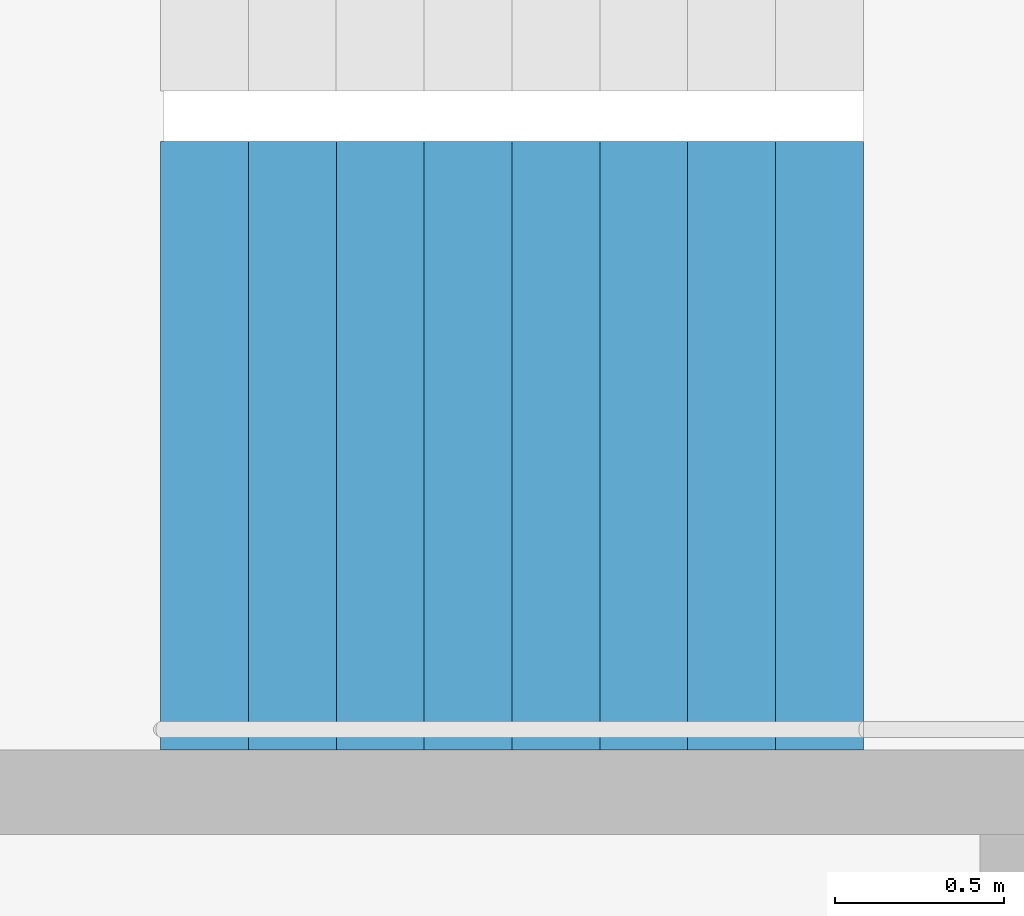
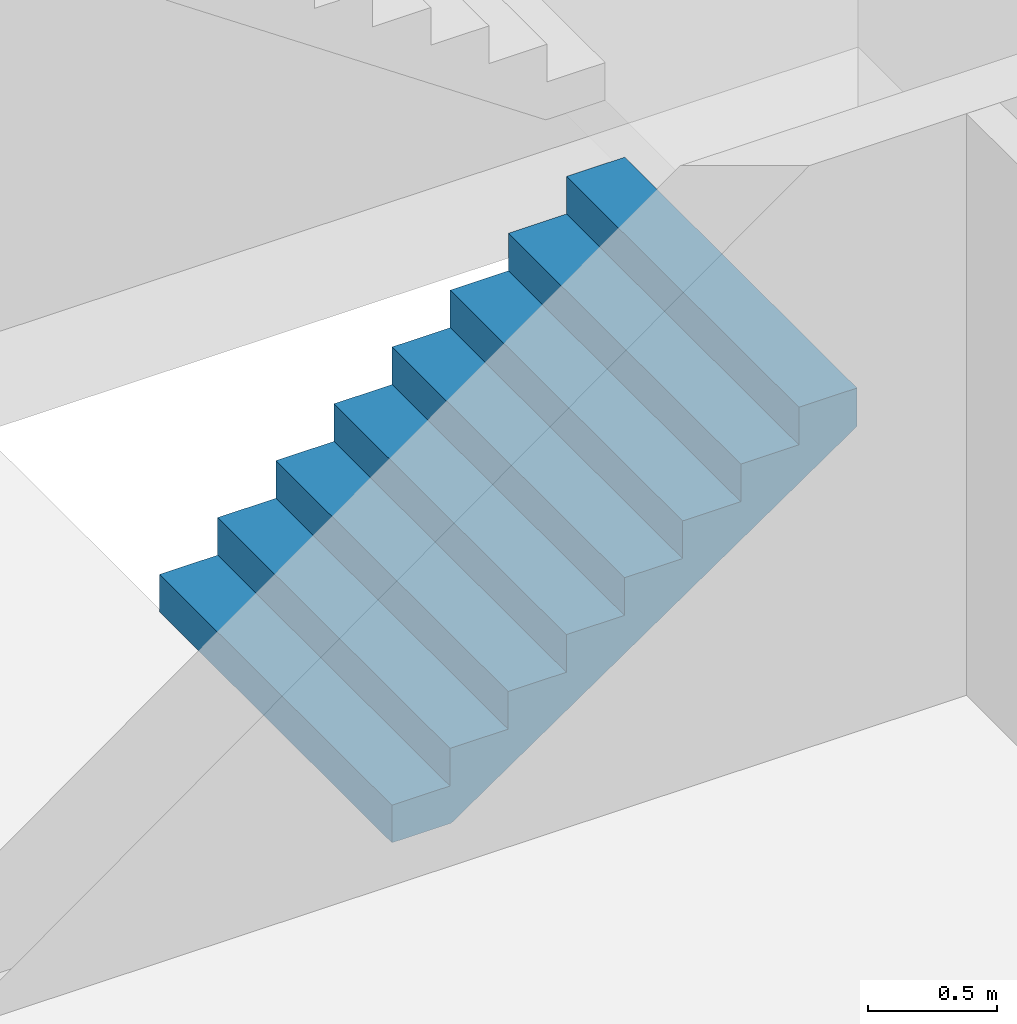
# One storey, part 20 of 30: 1 stair flight, 1 element without a shape of its own.
"""IFC4 building model written with IfcOpenShell, lengths in metres."""

from ifc_helpers import new_model, si_unit, direction, frame, origin, place, context, subcontext, project, spatial, triangles, material, type_object, element, aggregate, save


model = new_model("IFC4")

# Units and contexts
model_context = context("Model", 3, precision=1e-05, world=origin(), true_north=direction((0.0, 1.0)))
body_context = subcontext(model_context, "Body", "Model", "MODEL_VIEW")
ifc_project = project(units=[si_unit("LENGTHUNIT", "METRE"), si_unit("AREAUNIT", "SQUARE_METRE"), si_unit("VOLUMEUNIT", "CUBIC_METRE"), si_unit("PLANEANGLEUNIT", "RADIAN"), si_unit("MASSUNIT", "GRAM", prefix="KILO")], contexts=[model_context])

# Site, building, storey
site_placement = place(None, origin())
site = spatial("IfcSite", under=ifc_project, at=site_placement, CompositionType="ELEMENT")
building_placement = place(site_placement, origin())
building = spatial("IfcBuilding", under=site, at=building_placement, Name="Hakoniwa Tower and Hamabe Station Hall", CompositionType="ELEMENT")
storey_placement = place(building_placement, frame((0.0, 0.0, 245.39990234375)))
storey = spatial("IfcBuildingStorey", under=building, at=storey_placement, Name="L69", CompositionType="ELEMENT", Elevation=245.39990234375)

# Stair, stair flight
ifc_material_1 = material(Name="Concrete C40", Category="concrete")
stair_type = type_object("IfcStairType", Name="ESCAPE STAIR 1800", PredefinedType="HALF_TURN_STAIR", material=ifc_material_1)
stair_placement = place(storey_placement, origin())
stair = element("IfcStair", 1, at=stair_placement, inside=storey, type_object=stair_type, Name="Escape stair ST-1 L69", PredefinedType="HALF_TURN_STAIR")
ifc_material_2 = material(Name="Concrete C40", Category="concrete")
stair_flight_type = type_object("IfcStairFlightType", Name="STAIR FLIGHT 1800", PredefinedType="STRAIGHT", material=ifc_material_2)
stair_flight_placement = place(storey_placement, frame((-24.39990234375, 4.64990234375, 0.0), z_axis=(0.0, 0.0, 1.0), x_axis=(1.0, 0.0, 0.0)))
stair_flight = element("IfcStairFlight", 2, at=stair_flight_placement, type_object=stair_flight_type, Name="ST-1 flight 1", NumberOfRisers=9, NumberOfTreads=8, PredefinedType="STRAIGHT", RiserHeight=0.177777778, TreadLength=0.26, context=body_context, shape_type="Tessellation", body=[
    triangles([(0.0, 0.89990234375, 0.0), (0.260009765625, 0.89990234375, 0.0), (0.265625, 0.89990234375, 0.0), (0.52001953125, 0.89990234375, 0.174072265625), (0.780029296875, 0.89990234375, 0.351806640625), (1.0400390625, 0.89990234375, 0.529541015625), (1.300048828125, 0.89990234375, 0.707275390625), (1.56005859375, 0.89990234375, 0.885009765625), (1.820068359375, 0.89990234375, 1.062744140625), (2.080078125, 0.89990234375, 1.24072265625), (2.080078125, 0.89990234375, 1.422119140625), (1.820068359375, 0.89990234375, 1.422119140625), (1.820068359375, 0.89990234375, 1.244384765625), (1.56005859375, 0.89990234375, 1.244384765625), (1.56005859375, 0.89990234375, 1.066650390625), (1.300048828125, 0.89990234375, 1.066650390625), (1.300048828125, 0.89990234375, 0.888916015625), (1.0400390625, 0.89990234375, 0.888916015625), (1.0400390625, 0.89990234375, 0.711181640625), (0.780029296875, 0.89990234375, 0.711181640625), (0.780029296875, 0.89990234375, 0.533447265625), (0.52001953125, 0.89990234375, 0.533447265625), (0.52001953125, 0.89990234375, 0.35546875), (0.265625, 0.89990234375, 0.35546875), (0.260009765625, 0.89990234375, 0.35546875), (0.260009765625, 0.89990234375, 0.177734375), (0.0, 0.89990234375, 0.177734375), (0.0, 0.06005859375, 0.0), (0.260009765625, 0.06005859375, 0.0), (0.265625, 0.06005859375, 0.0), (0.52001953125, 0.06005859375, 0.174072265625), (0.780029296875, 0.06005859375, 0.351806640625), (1.0400390625, 0.06005859375, 0.529541015625), (1.300048828125, 0.06005859375, 0.707275390625), (1.56005859375, 0.06005859375, 0.885009765625), (1.820068359375, 0.06005859375, 1.062744140625), (2.080078125, 0.06005859375, 1.24072265625), (2.080078125, 0.06005859375, 1.422119140625), (1.820068359375, 0.06005859375, 1.422119140625), (1.820068359375, 0.06005859375, 1.244384765625), (1.56005859375, 0.06005859375, 1.244384765625), (1.56005859375, 0.06005859375, 1.066650390625), (1.300048828125, 0.06005859375, 1.066650390625), (1.300048828125, 0.06005859375, 0.888916015625), (1.0400390625, 0.06005859375, 0.888916015625), (1.0400390625, 0.06005859375, 0.711181640625), (0.780029296875, 0.06005859375, 0.711181640625), (0.780029296875, 0.06005859375, 0.533447265625), (0.52001953125, 0.06005859375, 0.533447265625), (0.52001953125, 0.06005859375, 0.35546875), (0.265625, 0.06005859375, 0.35546875), (0.260009765625, 0.06005859375, 0.35546875), (0.260009765625, 0.06005859375, 0.177734375), (0.0, 0.06005859375, 0.177734375), (0.0, 0.04296875, 0.0), (0.260009765625, 0.04296875, 0.0), (0.265625, 0.04296875, 0.0), (0.52001953125, 0.04296875, 0.174072265625), (0.780029296875, 0.04296875, 0.351806640625), (1.0400390625, 0.04296875, 0.529541015625), (1.300048828125, 0.04296875, 0.707275390625), (1.56005859375, 0.04296875, 0.885009765625), (1.820068359375, 0.04296875, 1.062744140625), (2.080078125, 0.04296875, 1.24072265625), (2.080078125, 0.04296875, 1.422119140625), (1.820068359375, 0.04296875, 1.422119140625), (1.820068359375, 0.04296875, 1.244384765625), (1.56005859375, 0.04296875, 1.244384765625), (1.56005859375, 0.04296875, 1.066650390625), (1.300048828125, 0.04296875, 1.066650390625), (1.300048828125, 0.04296875, 0.888916015625), (1.0400390625, 0.04296875, 0.888916015625), (1.0400390625, 0.04296875, 0.711181640625), (0.780029296875, 0.04296875, 0.711181640625), (0.780029296875, 0.04296875, 0.533447265625), (0.52001953125, 0.04296875, 0.533447265625), (0.52001953125, 0.04296875, 0.35546875), (0.265625, 0.04296875, 0.35546875), (0.260009765625, 0.04296875, 0.35546875), (0.260009765625, 0.04296875, 0.177734375), (0.0, 0.04296875, 0.177734375), (0.0, 0.025634765625, 0.0), (0.260009765625, 0.025634765625, 0.0), (0.265625, 0.025634765625, 0.0), (0.52001953125, 0.025634765625, 0.174072265625), (0.780029296875, 0.025634765625, 0.351806640625), (1.0400390625, 0.025634765625, 0.529541015625), (1.300048828125, 0.025634765625, 0.707275390625), (1.56005859375, 0.025634765625, 0.885009765625), (1.820068359375, 0.025634765625, 1.062744140625), (2.080078125, 0.025634765625, 1.24072265625), (2.080078125, 0.025634765625, 1.422119140625), (1.820068359375, 0.025634765625, 1.422119140625), (1.820068359375, 0.025634765625, 1.244384765625), (1.56005859375, 0.025634765625, 1.244384765625), (1.56005859375, 0.025634765625, 1.066650390625), (1.300048828125, 0.025634765625, 1.066650390625), (1.300048828125, 0.025634765625, 0.888916015625), (1.0400390625, 0.025634765625, 0.888916015625), (1.0400390625, 0.025634765625, 0.711181640625), (0.780029296875, 0.025634765625, 0.711181640625), (0.780029296875, 0.025634765625, 0.533447265625), (0.52001953125, 0.025634765625, 0.533447265625), (0.52001953125, 0.025634765625, 0.35546875), (0.265625, 0.025634765625, 0.35546875), (0.260009765625, 0.025634765625, 0.35546875), (0.260009765625, 0.025634765625, 0.177734375), (0.0, 0.025634765625, 0.177734375), (0.0, 0.008544921875, 0.0), (0.260009765625, 0.008544921875, 0.0), (0.265625, 0.008544921875, 0.0), (0.52001953125, 0.008544921875, 0.174072265625), (0.780029296875, 0.008544921875, 0.351806640625), (1.0400390625, 0.008544921875, 0.529541015625), (1.300048828125, 0.008544921875, 0.707275390625), (1.56005859375, 0.008544921875, 0.885009765625), (1.820068359375, 0.008544921875, 1.062744140625), (2.080078125, 0.008544921875, 1.24072265625), (2.080078125, 0.008544921875, 1.422119140625), (1.820068359375, 0.008544921875, 1.422119140625), (1.820068359375, 0.008544921875, 1.244384765625), (1.56005859375, 0.008544921875, 1.244384765625), (1.56005859375, 0.008544921875, 1.066650390625), (1.300048828125, 0.008544921875, 1.066650390625), (1.300048828125, 0.008544921875, 0.888916015625), (1.0400390625, 0.008544921875, 0.888916015625), (1.0400390625, 0.008544921875, 0.711181640625), (0.780029296875, 0.008544921875, 0.711181640625), (0.780029296875, 0.008544921875, 0.533447265625), (0.52001953125, 0.008544921875, 0.533447265625), (0.52001953125, 0.008544921875, 0.35546875), (0.265625, 0.008544921875, 0.35546875), (0.260009765625, 0.008544921875, 0.35546875), (0.260009765625, 0.008544921875, 0.177734375), (0.0, 0.008544921875, 0.177734375), (0.0, -0.008544921875, 0.0), (0.260009765625, -0.008544921875, 0.0), (0.265625, -0.008544921875, 0.0), (0.52001953125, -0.008544921875, 0.174072265625), (0.780029296875, -0.008544921875, 0.351806640625), (1.0400390625, -0.008544921875, 0.529541015625), (1.300048828125, -0.008544921875, 0.707275390625), (1.56005859375, -0.008544921875, 0.885009765625), (1.820068359375, -0.008544921875, 1.062744140625), (2.080078125, -0.008544921875, 1.24072265625), (2.080078125, -0.008544921875, 1.422119140625), (1.820068359375, -0.008544921875, 1.422119140625), (1.820068359375, -0.008544921875, 1.244384765625), (1.56005859375, -0.008544921875, 1.244384765625), (1.56005859375, -0.008544921875, 1.066650390625), (1.300048828125, -0.008544921875, 1.066650390625), (1.300048828125, -0.008544921875, 0.888916015625), (1.0400390625, -0.008544921875, 0.888916015625), (1.0400390625, -0.008544921875, 0.711181640625), (0.780029296875, -0.008544921875, 0.711181640625), (0.780029296875, -0.008544921875, 0.533447265625), (0.52001953125, -0.008544921875, 0.533447265625), (0.52001953125, -0.008544921875, 0.35546875), (0.265625, -0.008544921875, 0.35546875), (0.260009765625, -0.008544921875, 0.35546875), (0.260009765625, -0.008544921875, 0.177734375), (0.0, -0.008544921875, 0.177734375), (0.0, -0.025634765625, 0.0), (0.260009765625, -0.025634765625, 0.0), (0.265625, -0.025634765625, 0.0), (0.52001953125, -0.025634765625, 0.174072265625), (0.780029296875, -0.025634765625, 0.351806640625), (1.0400390625, -0.025634765625, 0.529541015625), (1.300048828125, -0.025634765625, 0.707275390625), (1.56005859375, -0.025634765625, 0.885009765625), (1.820068359375, -0.025634765625, 1.062744140625), (2.080078125, -0.025634765625, 1.24072265625), (2.080078125, -0.025634765625, 1.422119140625), (1.820068359375, -0.025634765625, 1.422119140625), (1.820068359375, -0.025634765625, 1.244384765625), (1.56005859375, -0.025634765625, 1.244384765625), (1.56005859375, -0.025634765625, 1.066650390625), (1.300048828125, -0.025634765625, 1.066650390625), (1.300048828125, -0.025634765625, 0.888916015625), (1.0400390625, -0.025634765625, 0.888916015625), (1.0400390625, -0.025634765625, 0.711181640625), (0.780029296875, -0.025634765625, 0.711181640625), (0.780029296875, -0.025634765625, 0.533447265625), (0.52001953125, -0.025634765625, 0.533447265625), (0.52001953125, -0.025634765625, 0.35546875), (0.265625, -0.025634765625, 0.35546875), (0.260009765625, -0.025634765625, 0.35546875), (0.260009765625, -0.025634765625, 0.177734375), (0.0, -0.025634765625, 0.177734375), (0.0, -0.04296875, 0.0), (0.260009765625, -0.04296875, 0.0), (0.265625, -0.04296875, 0.0), (0.52001953125, -0.04296875, 0.174072265625), (0.780029296875, -0.04296875, 0.351806640625), (1.0400390625, -0.04296875, 0.529541015625), (1.300048828125, -0.04296875, 0.707275390625), (1.56005859375, -0.04296875, 0.885009765625), (1.820068359375, -0.04296875, 1.062744140625), (2.080078125, -0.04296875, 1.24072265625), (2.080078125, -0.04296875, 1.422119140625), (1.820068359375, -0.04296875, 1.422119140625), (1.820068359375, -0.04296875, 1.244384765625), (1.56005859375, -0.04296875, 1.244384765625), (1.56005859375, -0.04296875, 1.066650390625), (1.300048828125, -0.04296875, 1.066650390625), (1.300048828125, -0.04296875, 0.888916015625), (1.0400390625, -0.04296875, 0.888916015625), (1.0400390625, -0.04296875, 0.711181640625), (0.780029296875, -0.04296875, 0.711181640625), (0.780029296875, -0.04296875, 0.533447265625), (0.52001953125, -0.04296875, 0.533447265625), (0.52001953125, -0.04296875, 0.35546875), (0.265625, -0.04296875, 0.35546875), (0.260009765625, -0.04296875, 0.35546875), (0.260009765625, -0.04296875, 0.177734375), (0.0, -0.04296875, 0.177734375), (0.0, -0.06005859375, 0.0), (0.260009765625, -0.06005859375, 0.0), (0.265625, -0.06005859375, 0.0), (0.52001953125, -0.06005859375, 0.174072265625), (0.780029296875, -0.06005859375, 0.351806640625), (1.0400390625, -0.06005859375, 0.529541015625), (1.300048828125, -0.06005859375, 0.707275390625), (1.56005859375, -0.06005859375, 0.885009765625), (1.820068359375, -0.06005859375, 1.062744140625), (2.080078125, -0.06005859375, 1.24072265625), (2.080078125, -0.06005859375, 1.422119140625), (1.820068359375, -0.06005859375, 1.422119140625), (1.820068359375, -0.06005859375, 1.244384765625), (1.56005859375, -0.06005859375, 1.244384765625), (1.56005859375, -0.06005859375, 1.066650390625), (1.300048828125, -0.06005859375, 1.066650390625), (1.300048828125, -0.06005859375, 0.888916015625), (1.0400390625, -0.06005859375, 0.888916015625), (1.0400390625, -0.06005859375, 0.711181640625), (0.780029296875, -0.06005859375, 0.711181640625), (0.780029296875, -0.06005859375, 0.533447265625), (0.52001953125, -0.06005859375, 0.533447265625), (0.52001953125, -0.06005859375, 0.35546875), (0.265625, -0.06005859375, 0.35546875), (0.260009765625, -0.06005859375, 0.35546875), (0.260009765625, -0.06005859375, 0.177734375), (0.0, -0.06005859375, 0.177734375), (0.0, -0.89990234375, 0.0), (0.260009765625, -0.89990234375, 0.0), (0.265625, -0.89990234375, 0.0), (0.52001953125, -0.89990234375, 0.174072265625), (0.780029296875, -0.89990234375, 0.351806640625), (1.0400390625, -0.89990234375, 0.529541015625), (1.300048828125, -0.89990234375, 0.707275390625), (1.56005859375, -0.89990234375, 0.885009765625), (1.820068359375, -0.89990234375, 1.062744140625), (2.080078125, -0.89990234375, 1.24072265625), (2.080078125, -0.89990234375, 1.422119140625), (1.820068359375, -0.89990234375, 1.422119140625), (1.820068359375, -0.89990234375, 1.244384765625), (1.56005859375, -0.89990234375, 1.244384765625), (1.56005859375, -0.89990234375, 1.066650390625), (1.300048828125, -0.89990234375, 1.066650390625), (1.300048828125, -0.89990234375, 0.888916015625), (1.0400390625, -0.89990234375, 0.888916015625), (1.0400390625, -0.89990234375, 0.711181640625), (0.780029296875, -0.89990234375, 0.711181640625), (0.780029296875, -0.89990234375, 0.533447265625), (0.52001953125, -0.89990234375, 0.533447265625), (0.52001953125, -0.89990234375, 0.35546875), (0.265625, -0.89990234375, 0.35546875), (0.260009765625, -0.89990234375, 0.35546875), (0.260009765625, -0.89990234375, 0.177734375), (0.0, -0.89990234375, 0.177734375)], [[2, 27, 26], [245, 269, 270], [2, 1, 27], [245, 270, 244], [3, 25, 24], [246, 267, 268], [3, 26, 25], [246, 268, 269], [3, 2, 26], [246, 269, 245], [4, 24, 23], [247, 266, 267], [4, 3, 24], [247, 267, 246], [5, 22, 21], [248, 264, 265], [5, 23, 22], [248, 265, 266], [5, 4, 23], [248, 266, 247], [6, 20, 19], [249, 262, 263], [6, 21, 20], [249, 263, 264], [6, 5, 21], [249, 264, 248], [7, 18, 17], [250, 260, 261], [7, 19, 18], [250, 261, 262], [7, 6, 19], [250, 262, 249], [8, 16, 15], [251, 258, 259], [8, 17, 16], [251, 259, 260], [8, 7, 17], [251, 260, 250], [9, 14, 13], [252, 256, 257], [9, 15, 14], [252, 257, 258], [9, 8, 15], [252, 258, 251], [10, 12, 11], [253, 254, 255], [10, 13, 12], [253, 255, 256], [10, 9, 13], [253, 256, 252], [1, 2, 29], [1, 29, 28], [28, 29, 56], [28, 56, 55], [55, 56, 83], [55, 83, 82], [82, 83, 110], [82, 110, 109], [109, 110, 137], [109, 137, 136], [136, 137, 164], [136, 164, 163], [163, 164, 191], [163, 191, 190], [190, 191, 218], [190, 218, 217], [217, 218, 245], [217, 245, 244], [2, 3, 30], [2, 30, 29], [29, 30, 57], [29, 57, 56], [56, 57, 84], [56, 84, 83], [83, 84, 111], [83, 111, 110], [110, 111, 138], [110, 138, 137], [137, 138, 165], [137, 165, 164], [164, 165, 192], [164, 192, 191], [191, 192, 219], [191, 219, 218], [218, 219, 246], [218, 246, 245], [3, 4, 31], [3, 31, 30], [30, 31, 58], [30, 58, 57], [57, 58, 85], [57, 85, 84], [84, 85, 112], [84, 112, 111], [111, 112, 139], [111, 139, 138], [138, 139, 166], [138, 166, 165], [165, 166, 193], [165, 193, 192], [192, 193, 220], [192, 220, 219], [219, 220, 247], [219, 247, 246], [4, 5, 32], [4, 32, 31], [31, 32, 59], [31, 59, 58], [58, 59, 86], [58, 86, 85], [85, 86, 113], [85, 113, 112], [112, 113, 140], [112, 140, 139], [139, 140, 167], [139, 167, 166], [166, 167, 194], [166, 194, 193], [193, 194, 221], [193, 221, 220], [220, 221, 248], [220, 248, 247], [5, 6, 33], [5, 33, 32], [32, 33, 60], [32, 60, 59], [59, 60, 87], [59, 87, 86], [86, 87, 114], [86, 114, 113], [113, 114, 141], [113, 141, 140], [140, 141, 168], [140, 168, 167], [167, 168, 195], [167, 195, 194], [194, 195, 222], [194, 222, 221], [221, 222, 249], [221, 249, 248], [6, 7, 34], [6, 34, 33], [33, 34, 61], [33, 61, 60], [60, 61, 88], [60, 88, 87], [87, 88, 115], [87, 115, 114], [114, 115, 142], [114, 142, 141], [141, 142, 169], [141, 169, 168], [168, 169, 196], [168, 196, 195], [195, 196, 223], [195, 223, 222], [222, 223, 250], [222, 250, 249], [7, 8, 35], [7, 35, 34], [34, 35, 62], [34, 62, 61], [61, 62, 89], [61, 89, 88], [88, 89, 116], [88, 116, 115], [115, 116, 143], [115, 143, 142], [142, 143, 170], [142, 170, 169], [169, 170, 197], [169, 197, 196], [196, 197, 224], [196, 224, 223], [223, 224, 251], [223, 251, 250], [8, 9, 36], [8, 36, 35], [35, 36, 63], [35, 63, 62], [62, 63, 90], [62, 90, 89], [89, 90, 117], [89, 117, 116], [116, 117, 144], [116, 144, 143], [143, 144, 171], [143, 171, 170], [170, 171, 198], [170, 198, 197], [197, 198, 225], [197, 225, 224], [224, 225, 252], [224, 252, 251], [9, 10, 37], [9, 37, 36], [36, 37, 64], [36, 64, 63], [63, 64, 91], [63, 91, 90], [90, 91, 118], [90, 118, 117], [117, 118, 145], [117, 145, 144], [144, 145, 172], [144, 172, 171], [171, 172, 199], [171, 199, 198], [198, 199, 226], [198, 226, 225], [225, 226, 253], [225, 253, 252], [10, 11, 38], [10, 38, 37], [37, 38, 65], [37, 65, 64], [64, 65, 92], [64, 92, 91], [91, 92, 119], [91, 119, 118], [118, 119, 146], [118, 146, 145], [145, 146, 173], [145, 173, 172], [172, 173, 200], [172, 200, 199], [199, 200, 227], [199, 227, 226], [226, 227, 254], [226, 254, 253], [11, 12, 39], [11, 39, 38], [38, 39, 66], [38, 66, 65], [65, 66, 93], [65, 93, 92], [92, 93, 120], [92, 120, 119], [119, 120, 147], [119, 147, 146], [146, 147, 174], [146, 174, 173], [173, 174, 201], [173, 201, 200], [200, 201, 228], [200, 228, 227], [227, 228, 255], [227, 255, 254], [12, 13, 40], [12, 40, 39], [39, 40, 67], [39, 67, 66], [66, 67, 94], [66, 94, 93], [93, 94, 121], [93, 121, 120], [120, 121, 148], [120, 148, 147], [147, 148, 175], [147, 175, 174], [174, 175, 202], [174, 202, 201], [201, 202, 229], [201, 229, 228], [228, 229, 256], [228, 256, 255], [13, 14, 41], [13, 41, 40], [40, 41, 68], [40, 68, 67], [67, 68, 95], [67, 95, 94], [94, 95, 122], [94, 122, 121], [121, 122, 149], [121, 149, 148], [148, 149, 176], [148, 176, 175], [175, 176, 203], [175, 203, 202], [202, 203, 230], [202, 230, 229], [229, 230, 257], [229, 257, 256], [14, 15, 42], [14, 42, 41], [41, 42, 69], [41, 69, 68], [68, 69, 96], [68, 96, 95], [95, 96, 123], [95, 123, 122], [122, 123, 150], [122, 150, 149], [149, 150, 177], [149, 177, 176], [176, 177, 204], [176, 204, 203], [203, 204, 231], [203, 231, 230], [230, 231, 258], [230, 258, 257], [15, 16, 43], [15, 43, 42], [42, 43, 70], [42, 70, 69], [69, 70, 97], [69, 97, 96], [96, 97, 124], [96, 124, 123], [123, 124, 151], [123, 151, 150], [150, 151, 178], [150, 178, 177], [177, 178, 205], [177, 205, 204], [204, 205, 232], [204, 232, 231], [231, 232, 259], [231, 259, 258], [16, 17, 44], [16, 44, 43], [43, 44, 71], [43, 71, 70], [70, 71, 98], [70, 98, 97], [97, 98, 125], [97, 125, 124], [124, 125, 152], [124, 152, 151], [151, 152, 179], [151, 179, 178], [178, 179, 206], [178, 206, 205], [205, 206, 233], [205, 233, 232], [232, 233, 260], [232, 260, 259], [17, 18, 45], [17, 45, 44], [44, 45, 72], [44, 72, 71], [71, 72, 99], [71, 99, 98], [98, 99, 126], [98, 126, 125], [125, 126, 153], [125, 153, 152], [152, 153, 180], [152, 180, 179], [179, 180, 207], [179, 207, 206], [206, 207, 234], [206, 234, 233], [233, 234, 261], [233, 261, 260], [18, 19, 46], [18, 46, 45], [45, 46, 73], [45, 73, 72], [72, 73, 100], [72, 100, 99], [99, 100, 127], [99, 127, 126], [126, 127, 154], [126, 154, 153], [153, 154, 181], [153, 181, 180], [180, 181, 208], [180, 208, 207], [207, 208, 235], [207, 235, 234], [234, 235, 262], [234, 262, 261], [19, 20, 47], [19, 47, 46], [46, 47, 74], [46, 74, 73], [73, 74, 101], [73, 101, 100], [100, 101, 128], [100, 128, 127], [127, 128, 155], [127, 155, 154], [154, 155, 182], [154, 182, 181], [181, 182, 209], [181, 209, 208], [208, 209, 236], [208, 236, 235], [235, 236, 263], [235, 263, 262], [20, 21, 48], [20, 48, 47], [47, 48, 75], [47, 75, 74], [74, 75, 102], [74, 102, 101], [101, 102, 129], [101, 129, 128], [128, 129, 156], [128, 156, 155], [155, 156, 183], [155, 183, 182], [182, 183, 210], [182, 210, 209], [209, 210, 237], [209, 237, 236], [236, 237, 264], [236, 264, 263], [21, 22, 49], [21, 49, 48], [48, 49, 76], [48, 76, 75], [75, 76, 103], [75, 103, 102], [102, 103, 130], [102, 130, 129], [129, 130, 157], [129, 157, 156], [156, 157, 184], [156, 184, 183], [183, 184, 211], [183, 211, 210], [210, 211, 238], [210, 238, 237], [237, 238, 265], [237, 265, 264], [22, 23, 50], [22, 50, 49], [49, 50, 77], [49, 77, 76], [76, 77, 104], [76, 104, 103], [103, 104, 131], [103, 131, 130], [130, 131, 158], [130, 158, 157], [157, 158, 185], [157, 185, 184], [184, 185, 212], [184, 212, 211], [211, 212, 239], [211, 239, 238], [238, 239, 266], [238, 266, 265], [23, 24, 51], [23, 51, 50], [50, 51, 78], [50, 78, 77], [77, 78, 105], [77, 105, 104], [104, 105, 132], [104, 132, 131], [131, 132, 159], [131, 159, 158], [158, 159, 186], [158, 186, 185], [185, 186, 213], [185, 213, 212], [212, 213, 240], [212, 240, 239], [239, 240, 267], [239, 267, 266], [24, 25, 52], [24, 52, 51], [51, 52, 79], [51, 79, 78], [78, 79, 106], [78, 106, 105], [105, 106, 133], [105, 133, 132], [132, 133, 160], [132, 160, 159], [159, 160, 187], [159, 187, 186], [186, 187, 214], [186, 214, 213], [213, 214, 241], [213, 241, 240], [240, 241, 268], [240, 268, 267], [25, 26, 53], [25, 53, 52], [52, 53, 80], [52, 80, 79], [79, 80, 107], [79, 107, 106], [106, 107, 134], [106, 134, 133], [133, 134, 161], [133, 161, 160], [160, 161, 188], [160, 188, 187], [187, 188, 215], [187, 215, 214], [214, 215, 242], [214, 242, 241], [241, 242, 269], [241, 269, 268], [26, 27, 54], [26, 54, 53], [53, 54, 81], [53, 81, 80], [80, 81, 108], [80, 108, 107], [107, 108, 135], [107, 135, 134], [134, 135, 162], [134, 162, 161], [161, 162, 189], [161, 189, 188], [188, 189, 216], [188, 216, 215], [215, 216, 243], [215, 243, 242], [242, 243, 270], [242, 270, 269], [27, 1, 28], [27, 28, 54], [54, 28, 55], [54, 55, 81], [81, 55, 82], [81, 82, 108], [108, 82, 109], [108, 109, 135], [135, 109, 136], [135, 136, 162], [162, 136, 163], [162, 163, 189], [189, 163, 190], [189, 190, 216], [216, 190, 217], [216, 217, 243], [243, 217, 244], [243, 244, 270]], closed=True),
])
aggregate(stair, [stair_flight])

save(model, "model.ifc")
